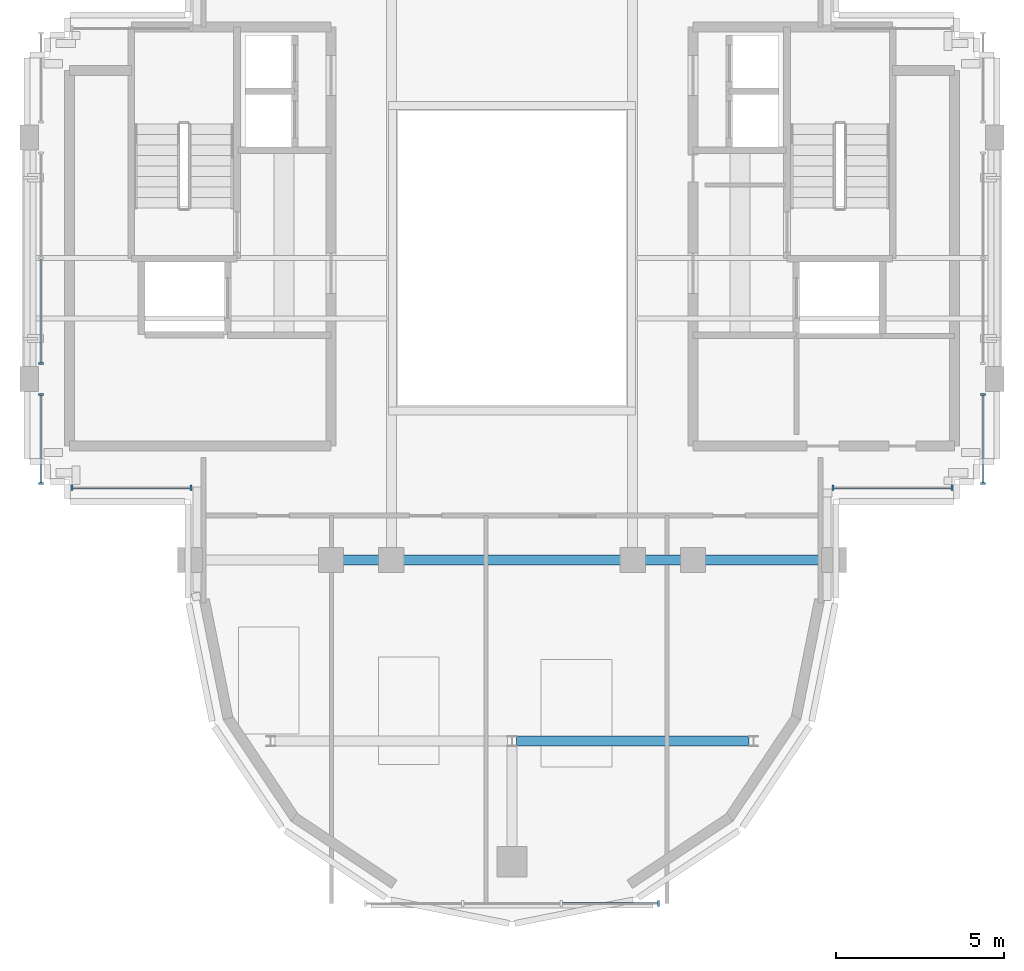
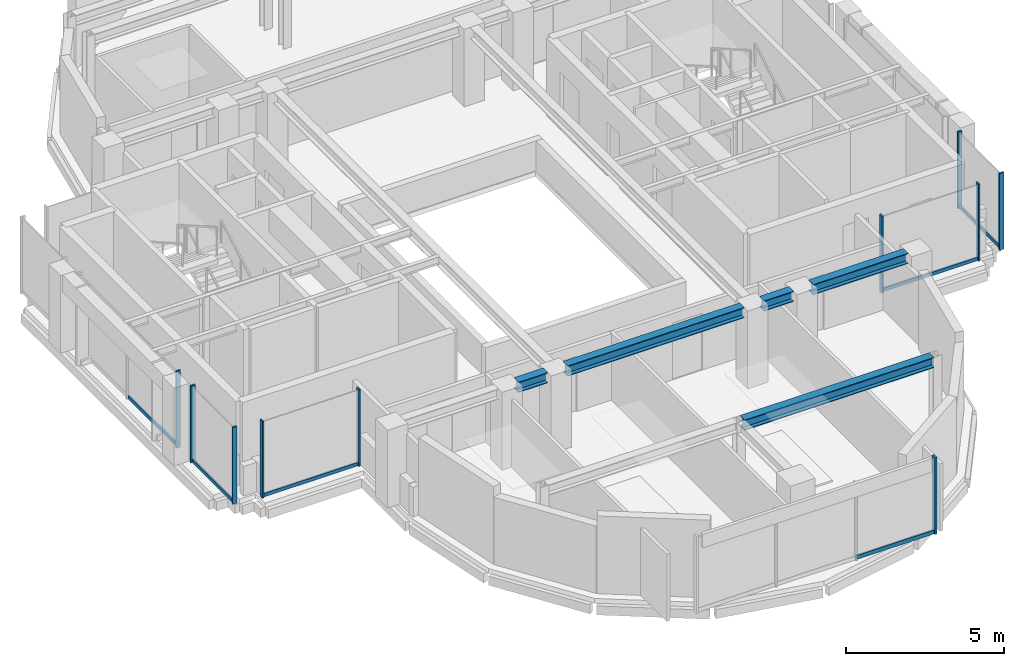
# One storey, part 3 of 11: 16 members, 5 beams, 6 elements without a shape of their own.
"""IFC4 building model written with IfcOpenShell, lengths in metres."""

from ifc_helpers import new_model, si_unit, direction, frame, origin, origin_2d, place, context, subcontext, project, spatial, rectangle, i_section, extrude, source, transform, mapped, material, material_profile, profile_set, type_object, element, aggregate, save


model = new_model("IFC4")

# Units and contexts
model_context = context("Model", 3, precision=1e-05, world=origin(), true_north=direction((0.0, 1.0)))
body_context = subcontext(model_context, "Body", "Model", "MODEL_VIEW")
ifc_project = project(units=[si_unit("LENGTHUNIT", "METRE"), si_unit("AREAUNIT", "SQUARE_METRE"), si_unit("VOLUMEUNIT", "CUBIC_METRE"), si_unit("PLANEANGLEUNIT", "RADIAN"), si_unit("MASSUNIT", "GRAM", prefix="KILO")], contexts=[model_context])

# Site, building, storey
site_placement = place(None, origin())
site = spatial("IfcSite", under=ifc_project, at=site_placement, CompositionType="ELEMENT")
building_placement = place(site_placement, origin())
building = spatial("IfcBuilding", under=site, at=building_placement, Name="Keilestroom Media Tower", CompositionType="ELEMENT")
storey_placement = place(building_placement, frame((0.0, 0.0, 265.199951171875)))
storey = spatial("IfcBuildingStorey", under=building, at=storey_placement, Name="L74", CompositionType="ELEMENT", Elevation=265.199951171875)

# Beams
ifc_material_1 = material(Name="Steel S355", Category="steel")
ifc_material_profile_1 = material_profile(ifc_material_1, i_section(OverallWidth=0.300048828125, OverallDepth=0.39990234375, WebThickness=0.011474609375, FlangeThickness=0.02392578125, at=origin_2d()), Name="HEB 400")
ifc_profile_set_1 = profile_set([ifc_material_profile_1], Name="Steel S355")
beam_type = type_object("IfcBeamType", Name="Primary-Structural-Girder-HEB-400", PredefinedType="BEAM", material=ifc_profile_set_1)
shared_shape_1 = source(origin(), body_context, "Body", "SweptSolid", [
    extrude(i_section(OverallWidth=0.300048828125, OverallDepth=0.39990234375, WebThickness=0.011474609375, FlangeThickness=0.02392578125, at=origin_2d()), origin(), (0.0, 0.0, 1.0), 6.940185546875),
])
beam_1_placement = place(storey_placement, frame((0.1298828125, -14.39990234375, 2.81005859375), z_axis=(1.0, 0.0, 0.0), x_axis=(0.0, 1.0, 0.0)))
element("IfcBeam", 1, at=beam_1_placement, inside=storey, type_object=beam_type, Name="L74 Beam BG-8 BM-L74-EW-002", PredefinedType="BEAM", context=body_context, shape_type="MappedRepresentation", body=[
    mapped(shared_shape_1, transform((0.0, 0.0, 0.0), x_axis=(1.0, 0.0, 0.0), y_axis=(0.0, 1.0, 0.0), z_axis=(0.0, 0.0, 1.0), scale=1.0)),
])
shared_shape_2 = source(origin(), body_context, "Body", "SweptSolid", [
    extrude(i_section(OverallWidth=0.300048828125, OverallDepth=0.39990234375, WebThickness=0.011474609375, FlangeThickness=0.02392578125, at=origin_2d()), origin(), (0.0, 0.0, 1.0), 3.490234375),
])
beam_2_placement = place(storey_placement, frame((5.7548828125, -9.0, 2.81005859375), z_axis=(1.0, 0.0, 0.0), x_axis=(0.0, 1.0, 0.0)))
element("IfcBeam", 2, at=beam_2_placement, inside=storey, type_object=beam_type, Name="L74 Beam BG-8 BM-L74-EW-007", PredefinedType="BEAM", context=body_context, shape_type="MappedRepresentation", body=[
    mapped(shared_shape_2, transform((0.0, 0.0, 0.0), x_axis=(1.0, 0.0, 0.0), y_axis=(0.0, 1.0, 0.0), z_axis=(0.0, 0.0, 1.0), scale=1.0)),
])
shared_shape_3 = source(origin(), body_context, "Body", "SweptSolid", [
    extrude(i_section(OverallWidth=0.300048828125, OverallDepth=0.39990234375, WebThickness=0.011474609375, FlangeThickness=0.02392578125, at=origin_2d()), origin(), (0.0, 0.0, 1.0), 1.08984375),
])
for number, where, z_axis, x_axis, name in (
    (3, (-5.044921875, -9.0, 2.81005859375), (1.0, 0.0, 0.0), (0.0, 1.0, 0.0), "L74 Beam BG-8 BM-L74-EW-004"),
    (4, (3.955078125, -9.0, 2.81005859375), (1.0, 0.0, 0.0), (0.0, 1.0, 0.0), "L74 Beam BG-8 BM-L74-EW-006"),
):
    element("IfcBeam", number, at=place(storey_placement, frame(where, z_axis=z_axis, x_axis=x_axis)), inside=storey, type_object=beam_type, Name=name, PredefinedType="BEAM", context=body_context, shape_type="MappedRepresentation", body=[
        mapped(shared_shape_3, transform((0.0, 0.0, 0.0), x_axis=(1.0, 0.0, 0.0), y_axis=(0.0, 1.0, 0.0), z_axis=(0.0, 0.0, 1.0), scale=1.0)),
    ])
shared_shape_4 = source(origin(), body_context, "Body", "SweptSolid", [
    extrude(i_section(OverallWidth=0.300048828125, OverallDepth=0.39990234375, WebThickness=0.011474609375, FlangeThickness=0.02392578125, at=origin_2d()), origin(), (0.0, 0.0, 1.0), 6.490234375),
])
beam_3_placement = place(storey_placement, frame((-3.2451171875, -9.0, 2.81005859375), z_axis=(1.0, 0.0, 0.0), x_axis=(0.0, 1.0, 0.0)))
element("IfcBeam", 5, at=beam_3_placement, inside=storey, type_object=beam_type, Name="L74 Beam BG-8 BM-L74-EW-005", PredefinedType="BEAM", context=body_context, shape_type="MappedRepresentation", body=[
    mapped(shared_shape_4, transform((0.0, 0.0, 0.0), x_axis=(1.0, 0.0, 0.0), y_axis=(0.0, 1.0, 0.0), z_axis=(0.0, 0.0, 1.0), scale=1.0)),
])

# Curtain wall, members
ifc_material_2 = material(Name="Anodised Aluminium Alloy", Category="aluminium")
curtain_wall_type_1 = type_object("IfcCurtainWallType", Name="Unitised-Curtain-Wall-CW-6", PredefinedType="NOTDEFINED", material=ifc_material_2)
curtain_wall_1_placement = place(storey_placement, origin())
curtain_wall_1 = element("IfcCurtainWall", 6, at=curtain_wall_1_placement, inside=storey, type_object=curtain_wall_type_1, Name="L74 Curtain Wall CW-6 CW-L74-LS-1", PredefinedType="NOTDEFINED")
ifc_material_profile_2 = material_profile(ifc_material_2, rectangle(XDim=0.06494140625, YDim=0.179931640625, at=origin_2d()), Name="ALU MULLION 65x180")
ifc_profile_set_2 = profile_set([ifc_material_profile_2], Name="Anodised Aluminium Alloy")
member_type_1 = type_object("IfcMemberType", Name="Curtain-Wall-Mullion-CW-6", PredefinedType="MULLION", material=ifc_profile_set_2)
shared_shape_5 = source(origin(), body_context, "Body", "SweptSolid", [
    extrude(rectangle(XDim=0.06494140625, YDim=0.179931640625, at=origin_2d()), origin(), (0.0, 0.0, 1.0), 2.97998046875),
])
member_1_placement = place(storey_placement, frame((4.367431640625, -19.25, 0.0), z_axis=(0.0, 0.0, 1.0), x_axis=(1.0, 0.0, 0.0)))
member_1 = element("IfcMember", 7, at=member_1_placement, type_object=member_type_1, Name="CW-6 Mullion 03", PredefinedType="MULLION", context=body_context, shape_type="MappedRepresentation", body=[
    mapped(shared_shape_5, transform((0.0, 0.0, 0.0), x_axis=(1.0, 0.0, 0.0), y_axis=(0.0, 1.0, 0.0), z_axis=(0.0, 0.0, 1.0), scale=1.0)),
])
ifc_material_profile_3 = material_profile(ifc_material_2, rectangle(XDim=0.06494140625, YDim=0.14990234375, at=origin_2d()), Name="ALU TRANSOM 65x150")
ifc_profile_set_3 = profile_set([ifc_material_profile_3], Name="Anodised Aluminium Alloy")
member_type_2 = type_object("IfcMemberType", Name="Curtain-Wall-Transom-CW-6", PredefinedType="USERDEFINED", material=ifc_profile_set_3)
shared_shape_6 = source(origin(), body_context, "Body", "SweptSolid", [
    extrude(rectangle(XDim=0.06494140625, YDim=0.14990234375, at=origin_2d()), origin(), (0.0, 0.0, 1.0), 2.839599609375),
])
member_2_placement = place(storey_placement, frame((1.497314453125, -19.25, 0.074951171875), z_axis=(1.0, 0.0, 0.0), x_axis=(0.0, 1.0, 0.0)))
member_2 = element("IfcMember", 8, at=member_2_placement, type_object=member_type_2, Name="CW-6 Transom 02.1", ObjectType="TRANSOM", PredefinedType="USERDEFINED", context=body_context, shape_type="MappedRepresentation", body=[
    mapped(shared_shape_6, transform((0.0, 0.0, 0.0), x_axis=(1.0, 0.0, 0.0), y_axis=(0.0, 1.0, 0.0), z_axis=(0.0, 0.0, 1.0), scale=1.0)),
])
aggregate(curtain_wall_1, [member_1, member_2])

curtain_wall_type_2 = type_object("IfcCurtainWallType", Name="Unitised-Curtain-Wall-CW-4", PredefinedType="NOTDEFINED", material=ifc_material_2)
curtain_wall_2_placement = place(storey_placement, origin())
curtain_wall_2 = element("IfcCurtainWall", 9, at=curtain_wall_2_placement, inside=storey, type_object=curtain_wall_type_2, Name="L74 Curtain Wall CW-4 CW-L74-W-1", PredefinedType="NOTDEFINED")
ifc_material_profile_4 = material_profile(ifc_material_2, rectangle(XDim=0.06005859375, YDim=0.159912109375, at=origin_2d()), Name="ALU MULLION 60x160")
ifc_profile_set_4 = profile_set([ifc_material_profile_4], Name="Anodised Aluminium Alloy")
member_type_3 = type_object("IfcMemberType", Name="Curtain-Wall-Mullion-CW-4", PredefinedType="MULLION", material=ifc_profile_set_4)
shared_shape_7 = source(origin(), body_context, "Body", "SweptSolid", [
    extrude(rectangle(XDim=0.06005859375, YDim=0.159912109375, at=origin_2d()), origin(), (0.0, 0.0, 1.0), 2.97998046875),
])
member_3_placement = place(storey_placement, frame((-14.050048828125, -6.719970703125, 0.0), z_axis=(0.0, 0.0, 1.0), x_axis=(0.0, 1.0, 0.0)))
member_3 = element("IfcMember", 10, at=member_3_placement, type_object=member_type_3, Name="CW-4 Mullion 00", PredefinedType="MULLION", context=body_context, shape_type="MappedRepresentation", body=[
    mapped(shared_shape_7, transform((0.0, 0.0, 0.0), x_axis=(1.0, 0.0, 0.0), y_axis=(0.0, 1.0, 0.0), z_axis=(0.0, 0.0, 1.0), scale=1.0)),
])
member_4_placement = place(storey_placement, frame((-14.050048828125, -4.06494140625, 0.0), z_axis=(0.0, 0.0, 1.0), x_axis=(0.0, 1.0, 0.0)))
member_4 = element("IfcMember", 11, at=member_4_placement, type_object=member_type_3, Name="CW-4 Mullion 01", PredefinedType="MULLION", context=body_context, shape_type="MappedRepresentation", body=[
    mapped(shared_shape_7, transform((0.0, 0.0, 0.0), x_axis=(1.0, 0.0, 0.0), y_axis=(0.0, 1.0, 0.0), z_axis=(0.0, 0.0, 1.0), scale=1.0)),
])

# Curtain wall, member
curtain_wall_3_placement = place(storey_placement, origin())
curtain_wall_3 = element("IfcCurtainWall", 12, at=curtain_wall_3_placement, inside=storey, type_object=curtain_wall_type_2, Name="L74 Curtain Wall CW-4 CW-L74-W-2", PredefinedType="NOTDEFINED")
member_5_placement = place(storey_placement, frame((-14.050048828125, -3.135009765625, 0.0), z_axis=(0.0, 0.0, 1.0), x_axis=(0.0, 1.0, 0.0)))
member_5 = element("IfcMember", 13, at=member_5_placement, type_object=member_type_3, Name="CW-4 Mullion 00", PredefinedType="MULLION", context=body_context, shape_type="MappedRepresentation", body=[
    mapped(shared_shape_7, transform((0.0, 0.0, 0.0), x_axis=(1.0, 0.0, 0.0), y_axis=(0.0, 1.0, 0.0), z_axis=(0.0, 0.0, 1.0), scale=1.0)),
])

# Curtain wall, members
curtain_wall_4_placement = place(storey_placement, origin())
curtain_wall_4 = element("IfcCurtainWall", 14, at=curtain_wall_4_placement, inside=storey, type_object=curtain_wall_type_2, Name="L74 Curtain Wall CW-4 CW-L74-E-1", PredefinedType="NOTDEFINED")
member_6_placement = place(storey_placement, frame((14.050048828125, -6.719970703125, 0.0), z_axis=(0.0, 0.0, 1.0), x_axis=(0.0, 1.0, 0.0)))
member_6 = element("IfcMember", 15, at=member_6_placement, type_object=member_type_3, Name="CW-4 Mullion 00", PredefinedType="MULLION", context=body_context, shape_type="MappedRepresentation", body=[
    mapped(shared_shape_7, transform((0.0, 0.0, 0.0), x_axis=(1.0, 0.0, 0.0), y_axis=(0.0, 1.0, 0.0), z_axis=(0.0, 0.0, 1.0), scale=1.0)),
])
member_7_placement = place(storey_placement, frame((14.050048828125, -4.06494140625, 0.0), z_axis=(0.0, 0.0, 1.0), x_axis=(0.0, 1.0, 0.0)))
member_7 = element("IfcMember", 16, at=member_7_placement, type_object=member_type_3, Name="CW-4 Mullion 01", PredefinedType="MULLION", context=body_context, shape_type="MappedRepresentation", body=[
    mapped(shared_shape_7, transform((0.0, 0.0, 0.0), x_axis=(1.0, 0.0, 0.0), y_axis=(0.0, 1.0, 0.0), z_axis=(0.0, 0.0, 1.0), scale=1.0)),
])

curtain_wall_5_placement = place(storey_placement, origin())
curtain_wall_5 = element("IfcCurtainWall", 17, at=curtain_wall_5_placement, inside=storey, type_object=curtain_wall_type_2, Name="L74 Curtain Wall CW-4 CW-L74-SW-1", PredefinedType="NOTDEFINED")
member_8_placement = place(storey_placement, frame((-13.1201171875, -6.85009765625, 0.0), z_axis=(0.0, 0.0, 1.0), x_axis=(1.0, 0.0, 0.0)))
member_8 = element("IfcMember", 18, at=member_8_placement, type_object=member_type_3, Name="CW-4 Mullion 00", PredefinedType="MULLION", context=body_context, shape_type="MappedRepresentation", body=[
    mapped(shared_shape_7, transform((0.0, 0.0, 0.0), x_axis=(1.0, 0.0, 0.0), y_axis=(0.0, 1.0, 0.0), z_axis=(0.0, 0.0, 1.0), scale=1.0)),
])
member_9_placement = place(storey_placement, frame((-9.580078125, -6.85009765625, 0.0), z_axis=(0.0, 0.0, 1.0), x_axis=(1.0, 0.0, 0.0)))
member_9 = element("IfcMember", 19, at=member_9_placement, type_object=member_type_3, Name="CW-4 Mullion 01", PredefinedType="MULLION", context=body_context, shape_type="MappedRepresentation", body=[
    mapped(shared_shape_7, transform((0.0, 0.0, 0.0), x_axis=(1.0, 0.0, 0.0), y_axis=(0.0, 1.0, 0.0), z_axis=(0.0, 0.0, 1.0), scale=1.0)),
])

curtain_wall_6_placement = place(storey_placement, origin())
curtain_wall_6 = element("IfcCurtainWall", 20, at=curtain_wall_6_placement, inside=storey, type_object=curtain_wall_type_2, Name="L74 Curtain Wall CW-4 CW-L74-SE-1", PredefinedType="NOTDEFINED")
member_10_placement = place(storey_placement, frame((9.580078125, -6.85009765625, 0.0), z_axis=(0.0, 0.0, 1.0), x_axis=(1.0, 0.0, 0.0)))
member_10 = element("IfcMember", 21, at=member_10_placement, type_object=member_type_3, Name="CW-4 Mullion 00", PredefinedType="MULLION", context=body_context, shape_type="MappedRepresentation", body=[
    mapped(shared_shape_7, transform((0.0, 0.0, 0.0), x_axis=(1.0, 0.0, 0.0), y_axis=(0.0, 1.0, 0.0), z_axis=(0.0, 0.0, 1.0), scale=1.0)),
])
member_11_placement = place(storey_placement, frame((13.1201171875, -6.85009765625, 0.0), z_axis=(0.0, 0.0, 1.0), x_axis=(1.0, 0.0, 0.0)))
member_11 = element("IfcMember", 22, at=member_11_placement, type_object=member_type_3, Name="CW-4 Mullion 01", PredefinedType="MULLION", context=body_context, shape_type="MappedRepresentation", body=[
    mapped(shared_shape_7, transform((0.0, 0.0, 0.0), x_axis=(1.0, 0.0, 0.0), y_axis=(0.0, 1.0, 0.0), z_axis=(0.0, 0.0, 1.0), scale=1.0)),
])

# Member
ifc_material_profile_5 = material_profile(ifc_material_2, rectangle(XDim=0.06005859375, YDim=0.1298828125, at=origin_2d()), Name="ALU TRANSOM 60x130")
ifc_profile_set_5 = profile_set([ifc_material_profile_5], Name="Anodised Aluminium Alloy")
member_type_4 = type_object("IfcMemberType", Name="Curtain-Wall-Transom-CW-4", PredefinedType="USERDEFINED", material=ifc_profile_set_5)
shared_shape_8 = source(origin(), body_context, "Body", "SweptSolid", [
    extrude(rectangle(XDim=0.06005859375, YDim=0.1298828125, at=origin_2d()), origin(), (0.0, 0.0, 1.0), 3.078857421875),
])
member_12_placement = place(storey_placement, frame((-14.050048828125, -3.10693359375, 0.06494140625), z_axis=(0.0, 1.0, 0.0), x_axis=(-1.0, 0.0, 0.0)))
member_12 = element("IfcMember", 23, at=member_12_placement, type_object=member_type_4, Name="CW-4 Transom 00.1", ObjectType="TRANSOM", PredefinedType="USERDEFINED", context=body_context, shape_type="MappedRepresentation", body=[
    mapped(shared_shape_8, transform((0.0, 0.0, 0.0), x_axis=(1.0, 0.0, 0.0), y_axis=(0.0, 1.0, 0.0), z_axis=(0.0, 0.0, 1.0), scale=1.0)),
])

aggregate(curtain_wall_3, [member_5, member_12])

shared_shape_9 = source(origin(), body_context, "Body", "SweptSolid", [
    extrude(rectangle(XDim=0.06005859375, YDim=0.1298828125, at=origin_2d()), origin(), (0.0, 0.0, 1.0), 2.598876953125),
])
member_13_placement = place(storey_placement, frame((-14.050048828125, -6.69189453125, 0.06494140625), z_axis=(0.0, 1.0, 0.0), x_axis=(-1.0, 0.0, 0.0)))
member_13 = element("IfcMember", 24, at=member_13_placement, type_object=member_type_4, Name="CW-4 Transom 00.1", ObjectType="TRANSOM", PredefinedType="USERDEFINED", context=body_context, shape_type="MappedRepresentation", body=[
    mapped(shared_shape_9, transform((0.0, 0.0, 0.0), x_axis=(1.0, 0.0, 0.0), y_axis=(0.0, 1.0, 0.0), z_axis=(0.0, 0.0, 1.0), scale=1.0)),
])

aggregate(curtain_wall_2, [member_3, member_4, member_13])

member_14_placement = place(storey_placement, frame((14.050048828125, -6.69189453125, 0.06494140625), z_axis=(0.0, 1.0, 0.0), x_axis=(-1.0, 0.0, 0.0)))
member_14 = element("IfcMember", 25, at=member_14_placement, type_object=member_type_4, Name="CW-4 Transom 00.1", ObjectType="TRANSOM", PredefinedType="USERDEFINED", context=body_context, shape_type="MappedRepresentation", body=[
    mapped(shared_shape_9, transform((0.0, 0.0, 0.0), x_axis=(1.0, 0.0, 0.0), y_axis=(0.0, 1.0, 0.0), z_axis=(0.0, 0.0, 1.0), scale=1.0)),
])

aggregate(curtain_wall_4, [member_6, member_7, member_14])

shared_shape_10 = source(origin(), body_context, "Body", "SweptSolid", [
    extrude(rectangle(XDim=0.06005859375, YDim=0.1298828125, at=origin_2d()), origin(), (0.0, 0.0, 1.0), 3.484130859375),
])
member_15_placement = place(storey_placement, frame((-13.092041015625, -6.85009765625, 0.06494140625), z_axis=(1.0, 0.0, 0.0), x_axis=(0.0, 1.0, 0.0)))
member_15 = element("IfcMember", 26, at=member_15_placement, type_object=member_type_4, Name="CW-4 Transom 00.1", ObjectType="TRANSOM", PredefinedType="USERDEFINED", context=body_context, shape_type="MappedRepresentation", body=[
    mapped(shared_shape_10, transform((0.0, 0.0, 0.0), x_axis=(1.0, 0.0, 0.0), y_axis=(0.0, 1.0, 0.0), z_axis=(0.0, 0.0, 1.0), scale=1.0)),
])

aggregate(curtain_wall_5, [member_8, member_9, member_15])

member_16_placement = place(storey_placement, frame((9.60791015625, -6.85009765625, 0.06494140625), z_axis=(1.0, 0.0, 0.0), x_axis=(0.0, 1.0, 0.0)))
member_16 = element("IfcMember", 27, at=member_16_placement, type_object=member_type_4, Name="CW-4 Transom 00.1", ObjectType="TRANSOM", PredefinedType="USERDEFINED", context=body_context, shape_type="MappedRepresentation", body=[
    mapped(shared_shape_10, transform((0.0, 0.0, 0.0), x_axis=(1.0, 0.0, 0.0), y_axis=(0.0, 1.0, 0.0), z_axis=(0.0, 0.0, 1.0), scale=1.0)),
])

aggregate(curtain_wall_6, [member_10, member_11, member_16])

save(model, "model.ifc")
